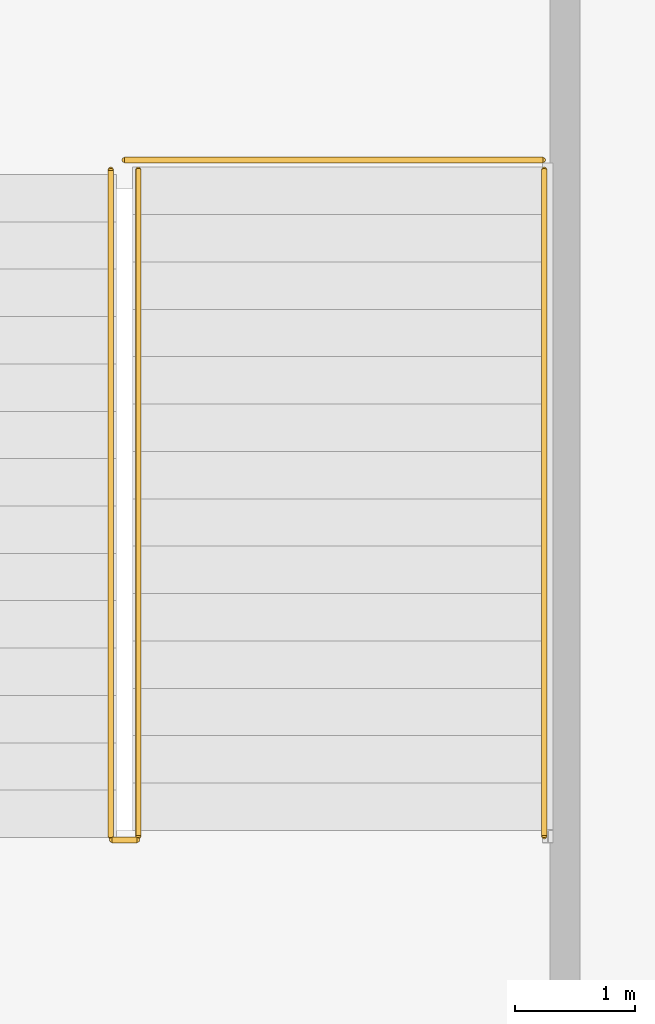
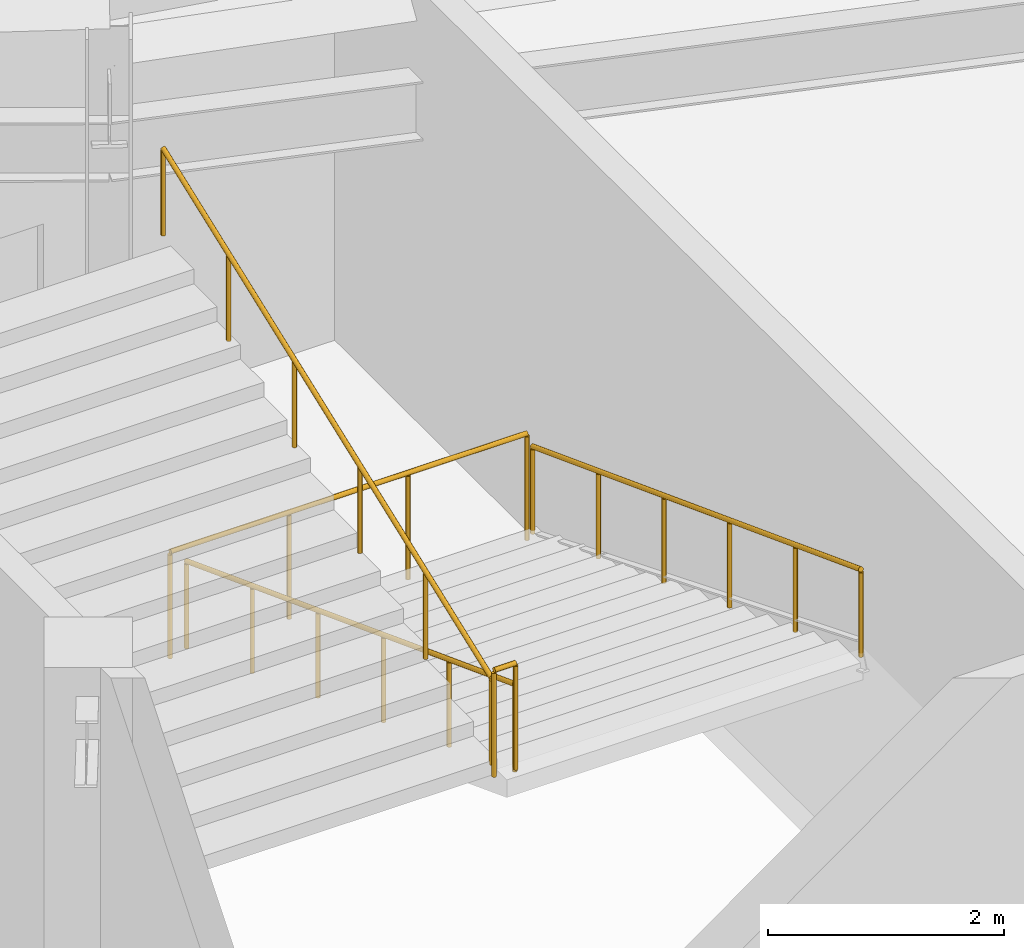
# One storey, part 46 of 63: 5 railings.
"""IFC4 building model written with IfcOpenShell, lengths in metres."""

from ifc_helpers import new_model, si_unit, direction, frame, origin, origin_2d, place, context, subcontext, project, spatial, circle, extrude, material, type_object, element, save


model = new_model("IFC4")

# Units and contexts
model_context = context("Model", 3, precision=1e-05, world=origin(), true_north=direction((0.0, 1.0)))
body_context = subcontext(model_context, "Body", "Model", "MODEL_VIEW")
ifc_project = project(units=[si_unit("LENGTHUNIT", "METRE"), si_unit("AREAUNIT", "SQUARE_METRE"), si_unit("VOLUMEUNIT", "CUBIC_METRE"), si_unit("PLANEANGLEUNIT", "RADIAN"), si_unit("MASSUNIT", "GRAM", prefix="KILO")], contexts=[model_context])

# Site, building, storey
site_placement = place(None, origin())
site = spatial("IfcSite", under=ifc_project, at=site_placement, CompositionType="ELEMENT")
building_placement = place(site_placement, origin())
building = spatial("IfcBuilding", under=site, at=building_placement, Name="Kalgoora Escarpment Arena", CompositionType="ELEMENT")
storey_placement = place(building_placement, frame((0.0, 0.0, 14.39990234375)))
storey = spatial("IfcBuildingStorey", under=building, at=storey_placement, Name="L03", CompositionType="ELEMENT", Elevation=14.39990234375)

# Railings
ifc_material_1 = material(Name="Galvanised & powdercoated tubular steel", Category="steel")
railing_type_1 = type_object("IfcRailingType", Name="RAL-GUARD-1120", PredefinedType="GUARDRAIL", material=ifc_material_1)
railing_1_placement = place(storey_placement, frame((64.5048828125, 20.919921875, 2.25)))
element("IfcRailing", 1, at=railing_1_placement, inside=storey, type_object=railing_type_1, Name="ST13 L03 half-landing well guard", PredefinedType="GUARDRAIL", context=body_context, shape_type="SweptSolid", body=[
    extrude(circle(Radius=0.02392578125, at=origin_2d()), frame((0.0, 0.0, 1.09619140625), z_axis=(-1.0, 0.0, 0.0), x_axis=(0.0, -1.0, 0.0)), (0.0, 0.0, 1.0), 0.2099609375),
    extrude(circle(Radius=0.02099609375, at=origin_2d()), origin(), (0.0, 0.0, 1.0), 1.072021484375),
    extrude(circle(Radius=0.02099609375, at=origin_2d()), frame((-0.2099609375, 0.0, 0.0)), (0.0, 0.0, 1.0), 1.072021484375),
])
railing_2_placement = place(storey_placement, frame((67.889892578125, 26.590087890625, 0.0)))
element("IfcRailing", 2, at=railing_2_placement, inside=storey, type_object=railing_type_1, Name="ST13 L03 floor landing well guard", PredefinedType="GUARDRAIL", context=body_context, shape_type="SweptSolid", body=[
    extrude(circle(Radius=0.02392578125, at=origin_2d()), frame((0.0, 0.0, 1.09619140625), z_axis=(-1.0, 0.0, 0.0), x_axis=(0.0, -1.0, 0.0)), (0.0, 0.0, 1.0), 3.489990234375),
    extrude(circle(Radius=0.02099609375, at=origin_2d()), origin(), (0.0, 0.0, 1.0), 1.072021484375),
    extrude(circle(Radius=0.02099609375, at=origin_2d()), frame((-1.163330078125, 0.0, 0.0)), (0.0, 0.0, 1.0), 1.072021484375),
    extrude(circle(Radius=0.02099609375, at=origin_2d()), frame((-2.32666015625, 0.0, 0.0)), (0.0, 0.0, 1.0), 1.072021484375),
    extrude(circle(Radius=0.02099609375, at=origin_2d()), frame((-3.489990234375, 0.0, 0.0)), (0.0, 0.0, 1.0), 1.072021484375),
])
ifc_material_2 = material(Name="Brushed stainless steel 316 handrail", Category="steel")
railing_type_2 = type_object("IfcRailingType", Name="RAL-HAND-920", PredefinedType="HANDRAIL", material=ifc_material_2)
for number, where, name in (
    (3, (67.89990234375, 26.510009765625, 0.110107421875), "ST13 L03 pitched stair handrail F1L"),
    (4, (64.514892578125, 26.510009765625, 0.110107421875), "ST13 L03 pitched stair handrail F1R"),
):
    element("IfcRailing", number, at=place(storey_placement, frame(where)), inside=storey, type_object=railing_type_2, Name=name, PredefinedType="HANDRAIL", context=body_context, shape_type="SweptSolid", body=[
        extrude(circle(Radius=0.02392578125, at=origin_2d()), frame((0.0, 0.0, 0.89599609375), z_axis=(0.0, -0.935492612948, 0.353346248203), x_axis=(1.0, 0.0, 0.0)), (0.0, 0.0, 1.0), 5.943359375),
        extrude(circle(Radius=0.02099609375, at=origin_2d()), origin(), (0.0, 0.0, 1.0), 0.871826171875),
        extrude(circle(Radius=0.02099609375, at=origin_2d()), frame((0.0, -1.112060546875, 0.419921875)), (0.0, 0.0, 1.0), 0.871826171875),
        extrude(circle(Radius=0.02099609375, at=origin_2d()), frame((0.0, -2.22412109375, 0.840087890625)), (0.0, 0.0, 1.0), 0.871826171875),
        extrude(circle(Radius=0.02099609375, at=origin_2d()), frame((0.0, -3.3359375, 1.260009765625)), (0.0, 0.0, 1.0), 0.871826171875),
        extrude(circle(Radius=0.02099609375, at=origin_2d()), frame((0.0, -4.447998046875, 1.68017578125)), (0.0, 0.0, 1.0), 0.871826171875),
        extrude(circle(Radius=0.02099609375, at=origin_2d()), frame((0.0, -5.56005859375, 2.10009765625)), (0.0, 0.0, 1.0), 0.871826171875),
    ])
railing_3_placement = place(storey_placement, frame((64.284912109375, 20.949951171875, 2.360107421875)))
element("IfcRailing", 5, at=railing_3_placement, inside=storey, type_object=railing_type_2, Name="ST13 L03 pitched stair handrail F2L", PredefinedType="HANDRAIL", context=body_context, shape_type="SweptSolid", body=[
    extrude(circle(Radius=0.02392578125, at=origin_2d()), frame((0.0, 0.0, 0.89599609375), z_axis=(0.0, 0.935492612948, 0.353346248203), x_axis=(-1.0, 0.0, 0.0)), (0.0, 0.0, 1.0), 5.943359375),
    extrude(circle(Radius=0.02099609375, at=origin_2d()), origin(), (0.0, 0.0, 1.0), 0.871826171875),
    extrude(circle(Radius=0.02099609375, at=origin_2d()), frame((0.0, 1.112060546875, 0.419921875)), (0.0, 0.0, 1.0), 0.871826171875),
    extrude(circle(Radius=0.02099609375, at=origin_2d()), frame((0.0, 2.22412109375, 0.840087890625)), (0.0, 0.0, 1.0), 0.871826171875),
    extrude(circle(Radius=0.02099609375, at=origin_2d()), frame((0.0, 3.3359375, 1.260009765625)), (0.0, 0.0, 1.0), 0.871826171875),
    extrude(circle(Radius=0.02099609375, at=origin_2d()), frame((0.0, 4.447998046875, 1.68017578125)), (0.0, 0.0, 1.0), 0.871826171875),
    extrude(circle(Radius=0.02099609375, at=origin_2d()), frame((0.0, 5.56005859375, 2.10009765625)), (0.0, 0.0, 1.0), 0.871826171875),
])

save(model, "model.ifc")
